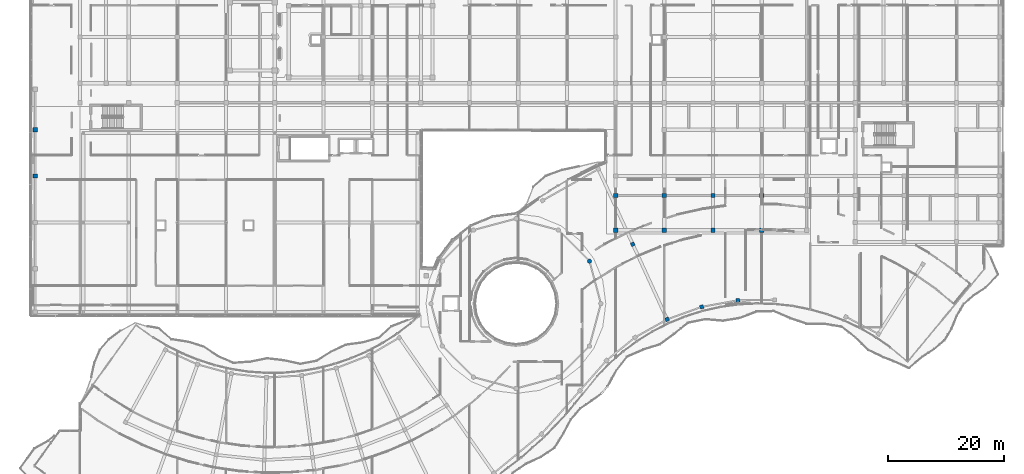
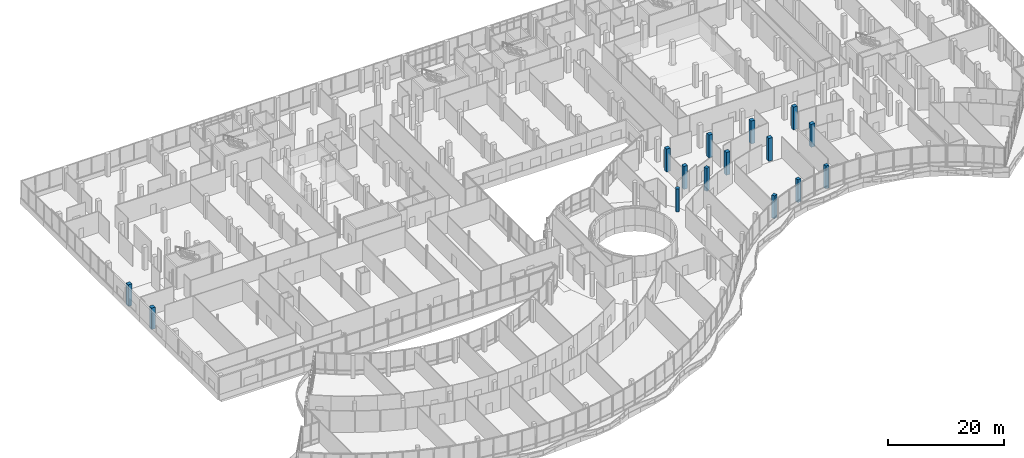
# One storey, part 6 of 155: 15 columns.
"""IFC4 building model written with IfcOpenShell, lengths in metres."""

from ifc_helpers import new_model, si_unit, direction, frame, origin, origin_2d, place, context, subcontext, project, spatial, rectangle, circle, extrude, material, material_profile, profile_set, type_object, element, save


model = new_model("IFC4")

# Units and contexts
model_context = context("Model", 3, precision=1e-05, world=origin(), true_north=direction((0.0, 1.0)))
body_context = subcontext(model_context, "Body", "Model", "MODEL_VIEW")
ifc_project = project(units=[si_unit("LENGTHUNIT", "METRE"), si_unit("AREAUNIT", "SQUARE_METRE"), si_unit("VOLUMEUNIT", "CUBIC_METRE"), si_unit("PLANEANGLEUNIT", "RADIAN"), si_unit("MASSUNIT", "GRAM", prefix="KILO")], contexts=[model_context])

# Site, building, storey
site_placement = place(None, origin())
site = spatial("IfcSite", under=ifc_project, at=site_placement, CompositionType="ELEMENT")
building_placement = place(site_placement, origin())
building = spatial("IfcBuilding", under=site, at=building_placement, Name="Selatvlak General Hospital", CompositionType="ELEMENT")
storey_placement = place(building_placement, frame((0.0, 0.0, 10.199951171875)))
storey = spatial("IfcBuildingStorey", under=building, at=storey_placement, Name="L02", CompositionType="ELEMENT", Elevation=10.199951171875)

# Columns
ifc_material_1 = material(Name="Concrete C40/50", Category="concrete")
ifc_material_profile_1 = material_profile(ifc_material_1, rectangle(XDim=0.64990234375, YDim=0.64990234375, at=origin_2d()), Name="RC-COL 650x650")
ifc_profile_set_1 = profile_set([ifc_material_profile_1], Name="Concrete C40/50")
column_type_1 = type_object("IfcColumnType", Name="COL-RC65", PredefinedType="COLUMN", material=ifc_profile_set_1)
for number, where, z_axis, x_axis, name in (
    (1, (118.153076171875, 64.238037109375, 0.0), (0.0, 0.0, 1.0), (-0.416201444857, 0.909272432937, 0.0), "Column 343 on L02"),
    (2, (124.083984375, 51.281005859375, 0.0), (0.0, 0.0, 1.0), (-0.416201444857, 0.909272432937, 0.0), "Column 344 on L02"),
    (3, (130.049072265625, 53.43310546875, 0.0), (0.0, 0.0, 1.0), (-0.260066364254, 0.965590744666, 0.0), "Column 345 on L02"),
    (4, (136.2919921875, 54.570068359375, 0.0), (0.0, 0.0, 1.0), (-0.097061786558, 0.995278357843, 0.0), "Column 346 on L02"),
):
    element("IfcColumn", number, at=place(storey_placement, frame(where, z_axis=z_axis, x_axis=x_axis)), inside=storey, type_object=column_type_1, Name=name, PredefinedType="COLUMN", context=body_context, shape_type="SweptSolid", body=[
        extrude(rectangle(XDim=0.64990234375, YDim=0.64990234375, at=origin_2d()), origin(), (0.0, 0.0, 1.0), 4.800048828125),
    ])
ifc_material_2 = material(Name="Concrete C50/60", Category="concrete")
ifc_material_profile_2 = material_profile(ifc_material_2, rectangle(XDim=0.75, YDim=0.75, at=origin_2d()), Name="RC-COL 750x750")
ifc_profile_set_2 = profile_set([ifc_material_profile_2], Name="Concrete C50/60")
column_type_2 = type_object("IfcColumnType", Name="COL-RC75", PredefinedType="COLUMN", material=ifc_profile_set_2)
for number, where, z_axis, x_axis, name in (
    (5, (15.050048828125, 76.0, 0.0), (0.0, 0.0, 1.0), (1.0, 0.0, 0.0), "Column 066 on L02"),
    (6, (15.050048828125, 84.0, 0.0), (0.0, 0.0, 1.0), (1.0, 0.0, 0.0), "Column 068 on L02"),
):
    element("IfcColumn", number, at=place(storey_placement, frame(where, z_axis=z_axis, x_axis=x_axis)), inside=storey, type_object=column_type_2, Name=name, PredefinedType="COLUMN", context=body_context, shape_type="SweptSolid", body=[
        extrude(rectangle(XDim=0.75, YDim=0.75, at=origin_2d()), origin(), (0.0, 0.0, 1.0), 4.5400390625),
    ])
for number, where, z_axis, x_axis, name in (
    (7, (115.199951171875, 66.64990234375, 0.0), (0.0, 0.0, 1.0), (1.0, 0.0, 0.0), "Column 229 on L02"),
    (8, (115.199951171875, 72.64990234375, 0.0), (0.0, 0.0, 1.0), (1.0, 0.0, 0.0), "Column 230 on L02"),
    (9, (123.60009765625, 66.64990234375, 0.0), (0.0, 0.0, 1.0), (1.0, 0.0, 0.0), "Column 236 on L02"),
    (10, (123.60009765625, 72.64990234375, 0.0), (0.0, 0.0, 1.0), (1.0, 0.0, 0.0), "Column 237 on L02"),
    (11, (132.0, 66.64990234375, 0.0), (0.0, 0.0, 1.0), (1.0, 0.0, 0.0), "Column 246 on L02"),
    (12, (132.0, 72.64990234375, 0.0), (0.0, 0.0, 1.0), (1.0, 0.0, 0.0), "Column 247 on L02"),
    (13, (140.39990234375, 66.64990234375, 0.0), (0.0, 0.0, 1.0), (1.0, 0.0, 0.0), "Column 255 on L02"),
    (14, (140.39990234375, 72.64990234375, 0.0), (0.0, 0.0, 1.0), (1.0, 0.0, 0.0), "Column 256 on L02"),
):
    element("IfcColumn", number, at=place(storey_placement, frame(where, z_axis=z_axis, x_axis=x_axis)), inside=storey, type_object=column_type_2, Name=name, PredefinedType="COLUMN", context=body_context, shape_type="SweptSolid", body=[
        extrude(rectangle(XDim=0.75, YDim=0.75, at=origin_2d()), origin(), (0.0, 0.0, 1.0), 4.800048828125),
    ])
ifc_material_profile_3 = material_profile(ifc_material_2, circle(Radius=0.375, at=origin_2d()), Name="RC-COL D750")
ifc_profile_set_3 = profile_set([ifc_material_profile_3], Name="Concrete C50/60")
column_type_3 = type_object("IfcColumnType", Name="COL-RCD75", PredefinedType="COLUMN", material=ifc_profile_set_3)
column_placement = place(storey_placement, frame((110.68701171875, 61.324951171875, 0.0), z_axis=(0.0, 0.0, 1.0), x_axis=(0.866025403784, 0.5, 0.0)))
element("IfcColumn", 15, at=column_placement, inside=storey, type_object=column_type_3, Name="Column 026 on L02", PredefinedType="COLUMN", context=body_context, shape_type="SweptSolid", body=[
    extrude(circle(Radius=0.375, at=origin_2d()), origin(), (0.0, 0.0, 1.0), 4.800048828125),
])

save(model, "model.ifc")
